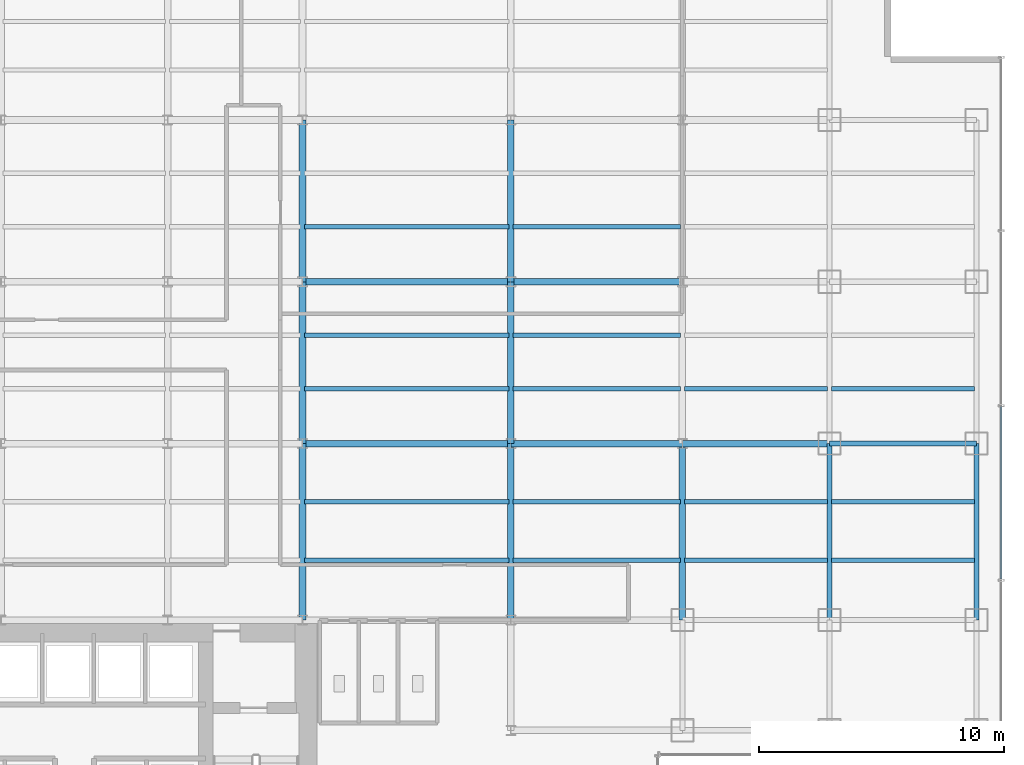
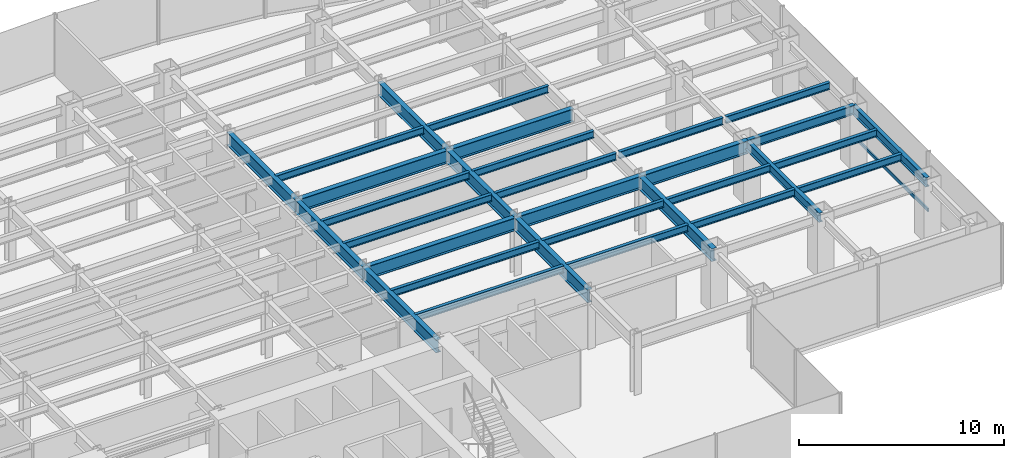
# One storey, part 8 of 22: 31 beams, 1 member, 1 element without a shape of its own.
"""IFC4 building model written with IfcOpenShell, lengths in metres."""

from ifc_helpers import new_model, si_unit, derived_unit, direction, frame, origin, origin_2d, place, context, subcontext, project, spatial, hollow_rectangle, i_section, extrude, source, transform, mapped, material, material_profile, profile_set, type_object, element, aggregate, save


model = new_model("IFC4")

# Units and contexts
model_context = context("Model", 3, precision=1e-05, world=origin(), true_north=direction((0.0, 1.0)))
body_context = subcontext(model_context, "Body", "Model", "MODEL_VIEW")
ifc_project = project(units=[si_unit("LENGTHUNIT", "METRE"), si_unit("AREAUNIT", "SQUARE_METRE"), si_unit("VOLUMEUNIT", "CUBIC_METRE"), si_unit("PLANEANGLEUNIT", "RADIAN"), si_unit("MASSUNIT", "GRAM", prefix="KILO"), derived_unit("THERMALTRANSMITTANCEUNIT", [(si_unit("POWERUNIT", "WATT"), 1), (si_unit("LENGTHUNIT", "METRE"), -2), (si_unit("THERMODYNAMICTEMPERATUREUNIT", "KELVIN"), -1)])], contexts=[model_context])

# Site, building, storey
site_placement = place(None, origin())
site = spatial("IfcSite", under=ifc_project, at=site_placement, CompositionType="ELEMENT")
building_placement = place(site_placement, origin())
building = spatial("IfcBuilding", under=site, at=building_placement, Name="Skarnbrae Concourse Arena and Tower", CompositionType="ELEMENT")
storey_placement = place(building_placement, frame((0.0, 0.0, 61.699951171875)))
storey = spatial("IfcBuildingStorey", under=building, at=storey_placement, Name="L14", CompositionType="ELEMENT", Elevation=61.699951171875)

# Beams
ifc_material_1 = material(Name="Steel CSA G40.21 350W", Category="steel")
ifc_material_profile_1 = material_profile(ifc_material_1, i_section(OverallWidth=0.26806640625, OverallDepth=0.77001953125, WebThickness=0.015625, FlangeThickness=0.025390625, at=origin_2d()), Name="W760X196")
ifc_profile_set_1 = profile_set([ifc_material_profile_1], Name="Steel CSA G40.21 350W")
beam_type_1 = type_object("IfcBeamType", Name="BM-GIRD-W760X196", PredefinedType="BEAM", material=ifc_profile_set_1)
shared_shape_1 = source(origin(), body_context, "Body", "SweptSolid", [
    extrude(i_section(OverallWidth=0.26806640625, OverallDepth=0.77001953125, WebThickness=0.015625, FlangeThickness=0.025390625, at=origin_2d()), origin(), (0.0, 0.0, 1.0), 7.0),
])
for number, where, z_axis, x_axis, name in (
    (1, (42.0, 21.199951171875, 3.01513671875), (1.0, 0.0, 0.0), (0.0, 1.0, 0.0), "L14 Primary E-W girder Y21.2-7"),
    (2, (42.0, 27.800048828125, 3.01513671875), (1.0, 0.0, 0.0), (0.0, 1.0, 0.0), "L14 Primary E-W girder Y27.8-7"),
):
    element("IfcBeam", number, at=place(storey_placement, frame(where, z_axis=z_axis, x_axis=x_axis)), inside=storey, type_object=beam_type_1, Name=name, PredefinedType="BEAM", context=body_context, shape_type="MappedRepresentation", body=[
        mapped(shared_shape_1, transform((0.0, 0.0, 0.0))),
    ])
ifc_material_profile_2 = material_profile(ifc_material_1, i_section(OverallWidth=0.214111328125, OverallDepth=0.549072265625, WebThickness=0.0146484375, FlangeThickness=0.023681640625, at=origin_2d()), Name="W530X138")
ifc_profile_set_2 = profile_set([ifc_material_profile_2], Name="Steel CSA G40.21 350W")
beam_type_2 = type_object("IfcBeamType", Name="BM-SPAN-W530X138", PredefinedType="SPANDREL", material=ifc_profile_set_2)
shared_shape_2 = source(origin(), body_context, "Body", "SweptSolid", [
    extrude(i_section(OverallWidth=0.214111328125, OverallDepth=0.549072265625, WebThickness=0.0146484375, FlangeThickness=0.023681640625, at=origin_2d()), origin(), (0.0, 0.0, 1.0), 6.0),
])
beam_1_placement = place(storey_placement, frame((55.0, 21.199951171875, 3.12548828125), z_axis=(1.0, 0.0, 0.0), x_axis=(0.0, 1.0, 0.0)))
element("IfcBeam", 3, at=beam_1_placement, inside=storey, type_object=beam_type_2, Name="L14 Perimeter spandrel Y21.2-9", PredefinedType="SPANDREL", context=body_context, shape_type="MappedRepresentation", body=[
    mapped(shared_shape_2, transform((0.0, 0.0, 0.0))),
])
shared_shape_3 = source(origin(), body_context, "Body", "SweptSolid", [
    extrude(i_section(OverallWidth=0.26806640625, OverallDepth=0.77001953125, WebThickness=0.015625, FlangeThickness=0.025390625, at=origin_2d()), origin(), (0.0, 0.0, 1.0), 6.60009765625),
])
for number, where, z_axis, x_axis, name in (
    (4, (33.5, 21.199951171875, 3.01513671875), (0.0, 1.0, 0.0), (-1.0, 0.0, 0.0), "L14 Primary N-S girder X33.5-2"),
    (5, (42.0, 21.199951171875, 3.01513671875), (0.0, 1.0, 0.0), (-1.0, 0.0, 0.0), "L14 Primary N-S girder X42.0-3"),
):
    element("IfcBeam", number, at=place(storey_placement, frame(where, z_axis=z_axis, x_axis=x_axis)), inside=storey, type_object=beam_type_1, Name=name, PredefinedType="BEAM", context=body_context, shape_type="MappedRepresentation", body=[
        mapped(shared_shape_3, transform((0.0, 0.0, 0.0))),
    ])
shared_shape_4 = source(origin(), body_context, "Body", "SweptSolid", [
    extrude(i_section(OverallWidth=0.26806640625, OverallDepth=0.77001953125, WebThickness=0.015625, FlangeThickness=0.025390625, at=origin_2d()), origin(), (0.0, 0.0, 1.0), 8.5),
])
for number, where, z_axis, x_axis, name in (
    (6, (33.5, 21.199951171875, 3.01513671875), (1.0, 0.0, 0.0), (0.0, 1.0, 0.0), "L14 Primary E-W girder Y21.2-6"),
    (7, (33.5, 27.800048828125, 3.01513671875), (1.0, 0.0, 0.0), (0.0, 1.0, 0.0), "L14 Primary E-W girder Y27.8-6"),
):
    element("IfcBeam", number, at=place(storey_placement, frame(where, z_axis=z_axis, x_axis=x_axis)), inside=storey, type_object=beam_type_1, Name=name, PredefinedType="BEAM", context=body_context, shape_type="MappedRepresentation", body=[
        mapped(shared_shape_4, transform((0.0, 0.0, 0.0))),
    ])
shared_shape_5 = source(origin(), body_context, "Body", "SweptSolid", [
    extrude(i_section(OverallWidth=0.26806640625, OverallDepth=0.77001953125, WebThickness=0.015625, FlangeThickness=0.025390625, at=origin_2d()), origin(), (0.0, 0.0, 1.0), 6.0),
])
beam_2_placement = place(storey_placement, frame((49.0, 21.199951171875, 3.01513671875), z_axis=(1.0, 0.0, 0.0), x_axis=(0.0, 1.0, 0.0)))
element("IfcBeam", 8, at=beam_2_placement, inside=storey, type_object=beam_type_1, Name="L14 Primary E-W girder Y21.2-8", PredefinedType="BEAM", context=body_context, shape_type="MappedRepresentation", body=[
    mapped(shared_shape_5, transform((0.0, 0.0, 0.0))),
])
shared_shape_6 = source(origin(), body_context, "Body", "SweptSolid", [
    extrude(i_section(OverallWidth=0.214111328125, OverallDepth=0.549072265625, WebThickness=0.0146484375, FlangeThickness=0.023681640625, at=origin_2d()), origin(), (0.0, 0.0, 1.0), 7.199951171875),
])
for number, where, z_axis, x_axis, name in (
    (9, (55.0, 14.0, 3.12548828125), (0.0, 1.0, 0.0), (-1.0, 0.0, 0.0), "L14 Perimeter spandrel X55.0-2"),
    (10, (61.0, 14.0, 3.12548828125), (0.0, 1.0, 0.0), (-1.0, 0.0, 0.0), "L14 Perimeter spandrel X61.0-2"),
):
    element("IfcBeam", number, at=place(storey_placement, frame(where, z_axis=z_axis, x_axis=x_axis)), inside=storey, type_object=beam_type_2, Name=name, PredefinedType="SPANDREL", context=body_context, shape_type="MappedRepresentation", body=[
        mapped(shared_shape_6, transform((0.0, 0.0, 0.0))),
    ])
shared_shape_7 = source(origin(), body_context, "Body", "SweptSolid", [
    extrude(i_section(OverallWidth=0.26806640625, OverallDepth=0.77001953125, WebThickness=0.015625, FlangeThickness=0.025390625, at=origin_2d()), origin(), (0.0, 0.0, 1.0), 7.199951171875),
])
for number, where, z_axis, x_axis, name in (
    (11, (33.5, 14.0, 3.01513671875), (0.0, 1.0, 0.0), (-1.0, 0.0, 0.0), "L14 Primary N-S girder X33.5-1"),
    (12, (42.0, 14.0, 3.01513671875), (0.0, 1.0, 0.0), (-1.0, 0.0, 0.0), "L14 Primary N-S girder X42.0-2"),
    (13, (49.0, 14.0, 3.01513671875), (0.0, 1.0, 0.0), (-1.0, 0.0, 0.0), "L14 Primary N-S girder X49.0-2"),
):
    element("IfcBeam", number, at=place(storey_placement, frame(where, z_axis=z_axis, x_axis=x_axis)), inside=storey, type_object=beam_type_1, Name=name, PredefinedType="BEAM", context=body_context, shape_type="MappedRepresentation", body=[
        mapped(shared_shape_7, transform((0.0, 0.0, 0.0))),
    ])
shared_shape_8 = source(origin(), body_context, "Body", "SweptSolid", [
    extrude(i_section(OverallWidth=0.26806640625, OverallDepth=0.77001953125, WebThickness=0.015625, FlangeThickness=0.025390625, at=origin_2d()), origin(), (0.0, 0.0, 1.0), 6.599853515625),
])
for number, where, z_axis, x_axis, name in (
    (14, (33.5, 27.800048828125, 3.01513671875), (0.0, 1.0, 0.0), (-1.0, 0.0, 0.0), "L14 Primary N-S girder X33.5-3"),
    (15, (42.0, 27.800048828125, 3.01513671875), (0.0, 1.0, 0.0), (-1.0, 0.0, 0.0), "L14 Primary N-S girder X42.0-4"),
):
    element("IfcBeam", number, at=place(storey_placement, frame(where, z_axis=z_axis, x_axis=x_axis)), inside=storey, type_object=beam_type_1, Name=name, PredefinedType="BEAM", context=body_context, shape_type="MappedRepresentation", body=[
        mapped(shared_shape_8, transform((0.0, 0.0, 0.0))),
    ])
ifc_material_profile_3 = material_profile(ifc_material_1, i_section(OverallWidth=0.180908203125, OverallDepth=0.4169921875, WebThickness=0.010986328125, FlangeThickness=0.018310546875, at=origin_2d()), Name="W410X85")
ifc_profile_set_3 = profile_set([ifc_material_profile_3], Name="Steel CSA G40.21 350W")
beam_type_3 = type_object("IfcBeamType", Name="BM-JOIST-W410X85", PredefinedType="JOIST", material=ifc_profile_set_3)
shared_shape_9 = source(origin(), body_context, "Body", "SweptSolid", [
    extrude(i_section(OverallWidth=0.180908203125, OverallDepth=0.4169921875, WebThickness=0.010986328125, FlangeThickness=0.018310546875, at=origin_2d()), origin(), (0.0, 0.0, 1.0), 8.33984375),
])
for number, where, z_axis, x_axis, name in (
    (16, (33.580078125, 16.447998046875, 3.191650390625), (1.0, 0.0, 0.0), (0.0, 1.0, 0.0), "L14 Secondary floor joist 1.1.6"),
    (17, (33.580078125, 18.823974609375, 3.191650390625), (1.0, 0.0, 0.0), (0.0, 1.0, 0.0), "L14 Secondary floor joist 1.2.6"),
    (18, (33.580078125, 23.444091796875, 3.191650390625), (1.0, 0.0, 0.0), (0.0, 1.0, 0.0), "L14 Secondary floor joist 2.1.6"),
    (19, (33.580078125, 25.6220703125, 3.191650390625), (1.0, 0.0, 0.0), (0.0, 1.0, 0.0), "L14 Secondary floor joist 2.2.6"),
    (20, (33.580078125, 30.0439453125, 3.191650390625), (1.0, 0.0, 0.0), (0.0, 1.0, 0.0), "L14 Secondary floor joist 3.1.6"),
):
    element("IfcBeam", number, at=place(storey_placement, frame(where, z_axis=z_axis, x_axis=x_axis)), inside=storey, type_object=beam_type_3, Name=name, PredefinedType="JOIST", context=body_context, shape_type="MappedRepresentation", body=[
        mapped(shared_shape_9, transform((0.0, 0.0, 0.0))),
    ])
shared_shape_10 = source(origin(), body_context, "Body", "SweptSolid", [
    extrude(i_section(OverallWidth=0.180908203125, OverallDepth=0.4169921875, WebThickness=0.010986328125, FlangeThickness=0.018310546875, at=origin_2d()), origin(), (0.0, 0.0, 1.0), 6.83984375),
])
for number, where, z_axis, x_axis, name in (
    (21, (42.080078125, 16.447998046875, 3.191650390625), (1.0, 0.0, 0.0), (0.0, 1.0, 0.0), "L14 Secondary floor joist 1.1.7"),
    (22, (42.080078125, 18.823974609375, 3.191650390625), (1.0, 0.0, 0.0), (0.0, 1.0, 0.0), "L14 Secondary floor joist 1.2.7"),
    (23, (42.080078125, 23.444091796875, 3.191650390625), (1.0, 0.0, 0.0), (0.0, 1.0, 0.0), "L14 Secondary floor joist 2.1.7"),
    (24, (42.080078125, 25.6220703125, 3.191650390625), (1.0, 0.0, 0.0), (0.0, 1.0, 0.0), "L14 Secondary floor joist 2.2.7"),
    (25, (42.080078125, 30.0439453125, 3.191650390625), (1.0, 0.0, 0.0), (0.0, 1.0, 0.0), "L14 Secondary floor joist 3.1.7"),
):
    element("IfcBeam", number, at=place(storey_placement, frame(where, z_axis=z_axis, x_axis=x_axis)), inside=storey, type_object=beam_type_3, Name=name, PredefinedType="JOIST", context=body_context, shape_type="MappedRepresentation", body=[
        mapped(shared_shape_10, transform((0.0, 0.0, 0.0))),
    ])
shared_shape_11 = source(origin(), body_context, "Body", "SweptSolid", [
    extrude(i_section(OverallWidth=0.180908203125, OverallDepth=0.4169921875, WebThickness=0.010986328125, FlangeThickness=0.018310546875, at=origin_2d()), origin(), (0.0, 0.0, 1.0), 5.83984375),
])
for number, where, z_axis, x_axis, name in (
    (26, (49.080078125, 16.447998046875, 3.191650390625), (1.0, 0.0, 0.0), (0.0, 1.0, 0.0), "L14 Secondary floor joist 1.1.8"),
    (27, (55.080078125, 16.447998046875, 3.191650390625), (1.0, 0.0, 0.0), (0.0, 1.0, 0.0), "L14 Secondary floor joist 1.1.9"),
    (28, (49.080078125, 18.823974609375, 3.191650390625), (1.0, 0.0, 0.0), (0.0, 1.0, 0.0), "L14 Secondary floor joist 1.2.8"),
    (29, (55.080078125, 18.823974609375, 3.191650390625), (1.0, 0.0, 0.0), (0.0, 1.0, 0.0), "L14 Secondary floor joist 1.2.9"),
    (30, (49.080078125, 23.444091796875, 3.191650390625), (1.0, 0.0, 0.0), (0.0, 1.0, 0.0), "L14 Secondary floor joist 2.1.8"),
    (31, (55.080078125, 23.444091796875, 3.191650390625), (1.0, 0.0, 0.0), (0.0, 1.0, 0.0), "L14 Secondary floor joist 2.1.9"),
):
    element("IfcBeam", number, at=place(storey_placement, frame(where, z_axis=z_axis, x_axis=x_axis)), inside=storey, type_object=beam_type_3, Name=name, PredefinedType="JOIST", context=body_context, shape_type="MappedRepresentation", body=[
        mapped(shared_shape_11, transform((0.0, 0.0, 0.0))),
    ])

# Curtain wall, member
ifc_material_2 = material(Name="Bronze anodised aluminium 6063-T6", Category="aluminium")
curtain_wall_type = type_object("IfcCurtainWallType", Name="CW-SYS-02-LOWZONE", PredefinedType="USERDEFINED", material=ifc_material_2)
curtain_wall_placement = place(storey_placement, origin())
curtain_wall = element("IfcCurtainWall", 32, at=curtain_wall_placement, inside=storey, type_object=curtain_wall_type, Name="L14 Unitised curtain wall CW-L14-E04", ObjectType="UNITISED CURTAIN WALL", PredefinedType="USERDEFINED")
ifc_material_profile_4 = material_profile(ifc_material_2, hollow_rectangle(XDim=0.080078125, YDim=0.18994140625, WallThickness=0.0048828125, at=origin_2d()), Name="ALU-TRAN-80X190")
ifc_profile_set_4 = profile_set([ifc_material_profile_4], Name="Bronze anodised aluminium 6063-T6")
member_type = type_object("IfcMemberType", Name="CWT-CW-02", PredefinedType="USERDEFINED", material=ifc_profile_set_4)
shared_shape_12 = source(origin(), body_context, "Body", "SweptSolid", [
    extrude(hollow_rectangle(XDim=0.080078125, YDim=0.18994140625, WallThickness=0.0048828125, at=origin_2d()), origin(), (0.0, 0.0, 1.0), 7.044921875),
])
member_placement = place(storey_placement, frame((62.0, 15.6650390625, 0.094970703125), z_axis=(0.0, 1.0, 0.0), x_axis=(-1.0, 0.0, 0.0)))
member = element("IfcMember", 33, at=member_placement, type_object=member_type, Name="CW-L14-E04 Transom 2", ObjectType="TRANSOM", PredefinedType="USERDEFINED", context=body_context, shape_type="MappedRepresentation", body=[
    mapped(shared_shape_12, transform((0.0, 0.0, 0.0))),
])
aggregate(curtain_wall, [member])

save(model, "model.ifc")
